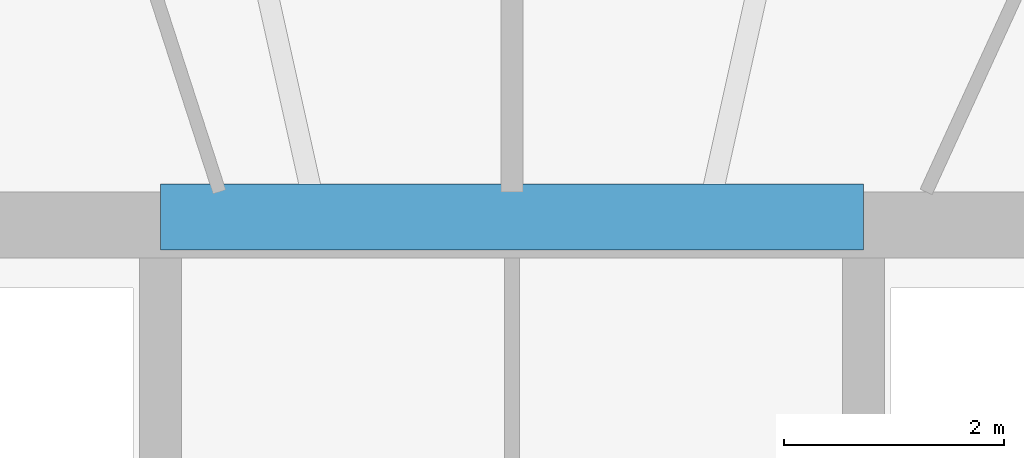
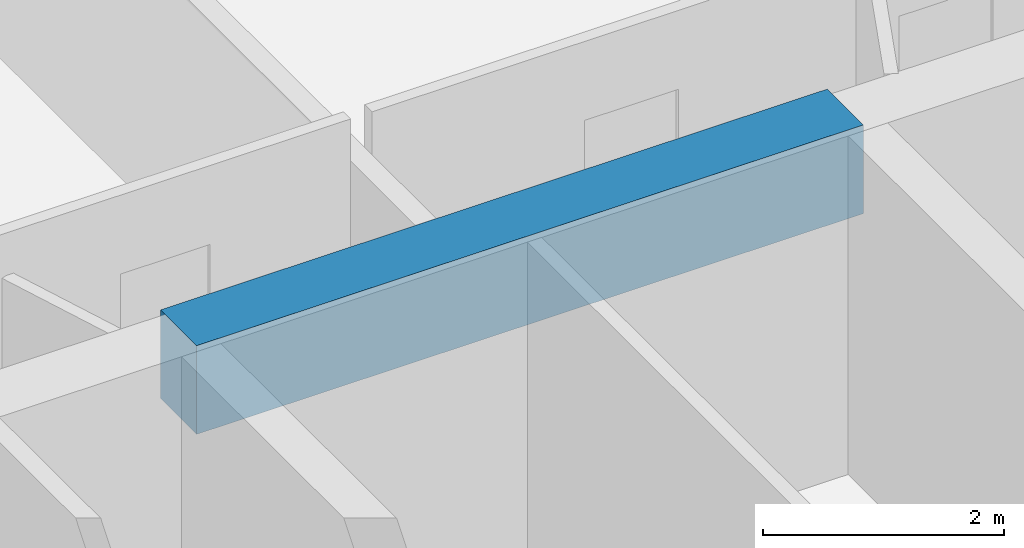
# One storey, part 9 of 26: 1 beam.
"""IFC4 building model written with IfcOpenShell, lengths in metres."""

from ifc_helpers import new_model, si_unit, direction, frame, origin, origin_2d, place, context, subcontext, project, spatial, rectangle, extrude, material, material_profile, profile_set, type_object, element, save


model = new_model("IFC4")

# Units and contexts
model_context = context("Model", 3, precision=1e-05, world=origin(), true_north=direction((-0.2419218956, 0.970295726276)))
body_context = subcontext(model_context, "Body", "Model", "MODEL_VIEW")
ifc_project = project(units=[si_unit("LENGTHUNIT", "METRE"), si_unit("AREAUNIT", "SQUARE_METRE"), si_unit("VOLUMEUNIT", "CUBIC_METRE"), si_unit("PLANEANGLEUNIT", "RADIAN"), si_unit("MASSUNIT", "GRAM", prefix="KILO")], contexts=[model_context])

# Site, building, storey
site_placement = place(None, origin())
site = spatial("IfcSite", under=ifc_project, at=site_placement, CompositionType="ELEMENT")
building_placement = place(site_placement, origin())
building = spatial("IfcBuilding", under=site, at=building_placement, Name="Cobrevalo Terracotta Tower", CompositionType="ELEMENT")
storey_placement = place(building_placement, frame((0.0, 0.0, 206.0)))
storey = spatial("IfcBuildingStorey", under=building, at=storey_placement, Name="L54", CompositionType="ELEMENT", Elevation=206.0)

# Beam
ifc_material = material(Name="Concrete C60", Category="concrete")
ifc_material_profile = material_profile(ifc_material, rectangle(XDim=0.60009765625, YDim=0.89990234375, at=origin_2d()), Name="RC CB 600x900")
ifc_profile_set = profile_set([ifc_material_profile], Name="Concrete C60")
beam_type = type_object("IfcBeamType", Name="Structural Beam RC CB 600x900 (Concrete C60)", PredefinedType="BEAM", material=ifc_profile_set)
beam_placement = place(storey_placement, frame((34.800048828125, 34.800048828125, 2.985107421875), z_axis=(1.0, 0.0, 0.0), x_axis=(0.0, 1.0, 0.0)))
element("IfcBeam", 1, at=beam_placement, inside=storey, type_object=beam_type, Name="L54 core coupling beam 2", PredefinedType="BEAM", context=body_context, shape_type="SweptSolid", body=[
    extrude(rectangle(XDim=0.60009765625, YDim=0.89990234375, at=origin_2d()), origin(), (0.0, 0.0, 1.0), 6.39990234375),
])

save(model, "model.ifc")
